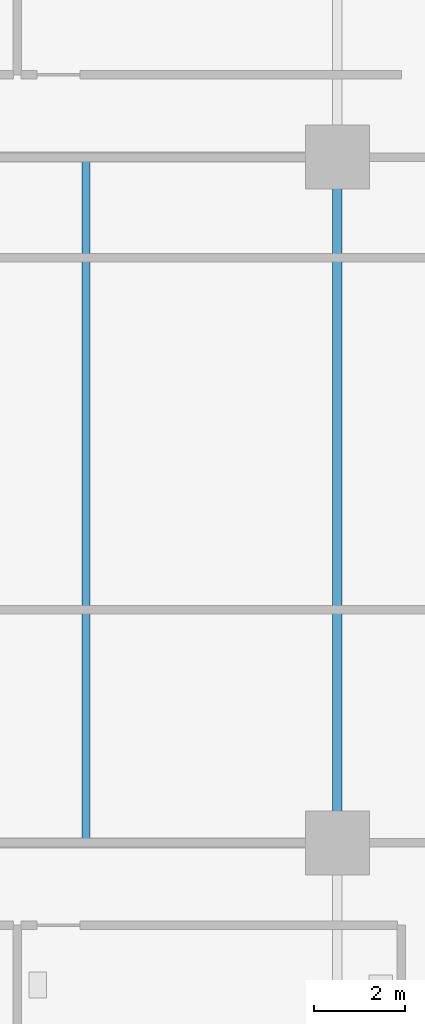
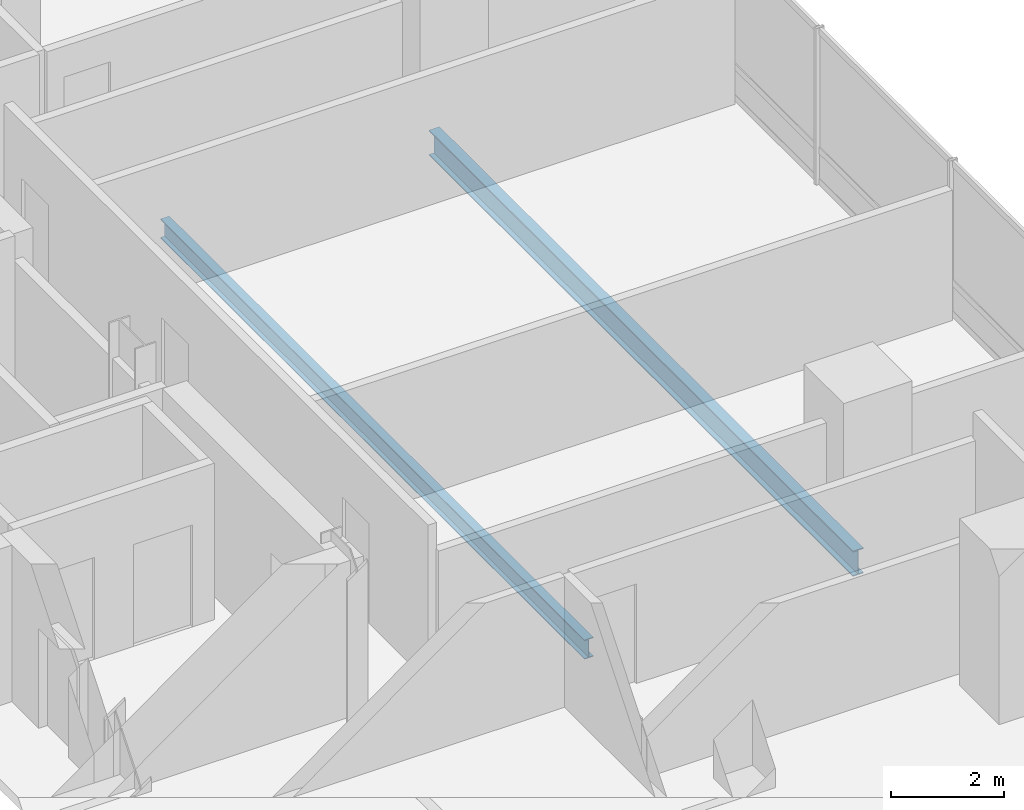
# One storey, part 9 of 21: 2 beams.
"""IFC4 building model written with IfcOpenShell, lengths in metres."""

import ifcopenshell
import ifcopenshell.guid

model = None  # the IFC model being written
_history = None  # IfcOwnerHistory: only IFC2X3 demands one
_inside = {}  # id of a spatial element -> (the spatial element, [elements in it])
_under = {}  # id of a project, library or spatial element -> (it, [spatial elements below it])
_declared = {}  # id of a project -> (the project, [libraries it declares])
_typed = {}  # id of a type object -> (the type object, [elements of that type])
_made_of = {}  # id of a material, layer set ... -> (it, [elements and type objects made of it])


def new_model(schema):
    """Start an empty IFC model of exactly this schema.

    Asked for "IFC4X3", IfcOpenShell would pick the latest addendum, in which some entities
    have other attributes; the version numbers below select the first issue.
    IFC2X3 requires an IfcOwnerHistory on every rooted entity: one is made here for all.
    """
    global model, _history
    if schema == "IFC4X3":
        model = ifcopenshell.file(schema_version=(4, 3, 0, 0))
    else:
        model = ifcopenshell.file(schema=schema)
    _inside.clear()
    _under.clear()
    _declared.clear()
    _typed.clear()
    _made_of.clear()
    _history = None
    if model.schema == "IFC2X3":
        org = make("IfcOrganization", Name="unknown")
        user = make(
            "IfcPersonAndOrganization",
            ThePerson=make("IfcPerson", FamilyName="unknown"),
            TheOrganization=org,
        )
        app = make(
            "IfcApplication",
            ApplicationDeveloper=org,
            Version="unknown",
            ApplicationFullName="unknown",
            ApplicationIdentifier="unknown",
        )
        _history = make(
            "IfcOwnerHistory",
            OwningUser=user,
            OwningApplication=app,
            ChangeAction="ADDED",
            CreationDate=0,
        )
    return model


def make(cls, **values):
    """One entity of the class cls with the attributes given. An attribute that is None is left unset."""
    return model.create_entity(
        cls, **{name: value for name, value in values.items() if value is not None}
    )


def rooted(cls, **values):
    """An entity with a GlobalId (a new one), such as an element, a storey or a relation."""
    return make(cls, GlobalId=ifcopenshell.guid.new(), OwnerHistory=_history, **values)


def si_unit(unit_type, name, prefix=None):
    """IfcSIUnit, for example si_unit("LENGTHUNIT", "METRE", prefix="MILLI")."""
    return make("IfcSIUnit", UnitType=unit_type, Prefix=prefix, Name=name)


def assignment(units):
    """IfcUnitAssignment: the units of a project."""
    return None if units is None else make("IfcUnitAssignment", Units=units)


def point(xyz):
    """IfcCartesianPoint."""
    return None if xyz is None else make("IfcCartesianPoint", Coordinates=xyz)


def direction(xyz):
    """IfcDirection."""
    return None if xyz is None else make("IfcDirection", DirectionRatios=xyz)


def frame(location, z_axis=None, x_axis=None):
    """IfcAxis2Placement3D, a coordinate frame: its origin and axes. An axis left out is left unset."""
    return make(
        "IfcAxis2Placement3D",
        Location=point(location),
        Axis=direction(z_axis),
        RefDirection=direction(x_axis),
    )


def frame_2d(location, x_axis=None):
    """IfcAxis2Placement2D, a coordinate frame in the plane: its origin and x axis."""
    return make(
        "IfcAxis2Placement2D", Location=point(location), RefDirection=direction(x_axis)
    )


def origin():
    """The frame at (0, 0, 0) with its axes left unset."""
    return frame((0.0, 0.0, 0.0))


def origin_2d():
    """The frame at (0, 0) in the plane with its x axis left unset."""
    return frame_2d((0.0, 0.0))


def place(relative_to, where):
    """IfcLocalPlacement: puts the frame where relative to a parent placement (None: the world)."""
    return make(
        "IfcLocalPlacement", PlacementRelTo=relative_to, RelativePlacement=where
    )


def context(
    kind, dimensions, precision=None, world=None, true_north=None, identifier=None
):
    """IfcGeometricRepresentationContext, for example the 3D "Model" context."""
    return make(
        "IfcGeometricRepresentationContext",
        ContextIdentifier=identifier,
        ContextType=kind,
        CoordinateSpaceDimension=dimensions,
        Precision=precision,
        WorldCoordinateSystem=world,
        TrueNorth=true_north,
    )


def subcontext(parent, identifier, kind, view, scale=None):
    """IfcGeometricRepresentationSubContext, for example "Body" below "Model"."""
    return make(
        "IfcGeometricRepresentationSubContext",
        ContextIdentifier=identifier,
        ContextType=kind,
        ParentContext=parent,
        TargetScale=scale,
        TargetView=view,
    )


def project(units=None, contexts=None):
    """IfcProject with its units and contexts."""
    return rooted(
        "IfcProject",
        Name="project",
        RepresentationContexts=contexts,
        UnitsInContext=assignment(units),
    )


def spatial(cls, under=None, at=None, **own):
    """A site, building, storey or space (cls), placed at a placement, below another one or the project."""
    s = rooted(cls, ObjectPlacement=at, **own)
    if under is not None:
        _under.setdefault(under.id(), (under, []))[1].append(s)
    return s


def profile(cls, at=None, kind="AREA", **sizes):
    """A parametric profile (cls). Its sizes go by their IFC names, for example OverallWidth=200.0."""
    return make(cls, ProfileType=kind, Position=at, **sizes)


def i_section(**sizes):
    """IfcIShapeProfileDef."""
    return profile("IfcIShapeProfileDef", **sizes)


def extrude(swept, where, along, depth):
    """IfcExtrudedAreaSolid: the profile swept, set in the frame where, extruded along a direction by depth."""
    return make(
        "IfcExtrudedAreaSolid",
        SweptArea=swept,
        Position=where,
        ExtrudedDirection=direction(along),
        Depth=depth,
    )


def shape(context_of_items, identifier, shape_type, items):
    """IfcShapeRepresentation: the items that make up one representation, for example the "Body"."""
    return make(
        "IfcShapeRepresentation",
        ContextOfItems=context_of_items,
        RepresentationIdentifier=identifier,
        RepresentationType=shape_type,
        Items=items,
    )


def material(Name=None, Category=None):
    """IfcMaterial."""
    return make("IfcMaterial", Name=Name, Category=Category)


def material_profile(
    of_material, cross_section, Name=None, Category=None, Priority=None
):
    """IfcMaterialProfile: a cross section and its material."""
    return make(
        "IfcMaterialProfile",
        Name=Name,
        Material=of_material,
        Profile=cross_section,
        Priority=Priority,
        Category=Category,
    )


def profile_set(profiles, Name=None, composite=None):
    """IfcMaterialProfileSet."""
    return make(
        "IfcMaterialProfileSet",
        Name=Name,
        MaterialProfiles=profiles,
        CompositeProfile=composite,
    )


def made_of(thing, what):
    """Note that an element or type object is made of a material, layer set ...; save() writes the relation."""
    if what is not None:
        _made_of.setdefault(what.id(), (what, []))[1].append(thing)
    return thing


def type_object(cls, material=None, **own):
    """A type object (cls), such as IfcWallType, which elements share."""
    return made_of(rooted(cls, **own), material)


def element(
    cls,
    number,
    at=None,
    inside=None,
    cuts=None,
    type_object=None,
    material=None,
    context=None,
    identifier="Body",
    shape_type=None,
    held_by="IfcProductDefinitionShape",
    body=None,
    shapes=None,
    **own,
):
    """One element of the class cls, such as IfcWall. Its Tag is "e" and its number.

    at: its placement. inside: the storey or other place that contains it. cuts: it is an
    opening in that element (IfcRelVoidsElement). A single representation is given by context,
    identifier, shape_type and body (its items); several are given by shapes. held_by: the class
    of the entity that holds the representations. save() writes the other relations.
    """
    e = rooted(cls, Tag="e%d" % number, ObjectPlacement=at, **own)
    if body is not None:
        shapes = [shape(context, identifier, shape_type, body)]
    if shapes is not None:
        e.Representation = make(held_by, Representations=shapes)
    if inside is not None:
        _inside.setdefault(inside.id(), (inside, []))[1].append(e)
    if cuts is not None:
        rooted(
            "IfcRelVoidsElement", RelatingBuildingElement=cuts, RelatedOpeningElement=e
        )
    if type_object is not None:
        _typed.setdefault(type_object.id(), (type_object, []))[1].append(e)
    return made_of(e, material)


def aggregate(whole, parts):
    """IfcRelAggregates: a whole, such as a stair, and the parts it consists of."""
    return rooted("IfcRelAggregates", RelatingObject=whole, RelatedObjects=parts)


def save(model, path):
    """Write the relations noted so far, then the file.

    IfcRelAggregates (storeys below a building ...), IfcRelContainedInSpatialStructure (elements
    in a storey), IfcRelDefinesByType, IfcRelAssociatesMaterial and IfcRelDeclares: one each for
    every whole, place, type object, material and project.
    """
    for whole, parts in _under.values():
        aggregate(whole, parts)
    for where, things in _inside.values():
        rooted(
            "IfcRelContainedInSpatialStructure",
            RelatedElements=things,
            RelatingStructure=where,
        )
    for kind, things in _typed.values():
        rooted("IfcRelDefinesByType", RelatedObjects=things, RelatingType=kind)
    for what, things in _made_of.values():
        rooted("IfcRelAssociatesMaterial", RelatedObjects=things, RelatingMaterial=what)
    for by, libraries in _declared.values():
        rooted("IfcRelDeclares", RelatingContext=by, RelatedDefinitions=libraries)
    model.write(path)


model = new_model("IFC4")

# Units and contexts
model_context = context("Model", 3, precision=1e-05, world=origin(), true_north=direction((0.0, 1.0)))
body_context = subcontext(model_context, "Body", "Model", "MODEL_VIEW")
ifc_project = project(units=[si_unit("LENGTHUNIT", "METRE"), si_unit("AREAUNIT", "SQUARE_METRE"), si_unit("VOLUMEUNIT", "CUBIC_METRE"), si_unit("PLANEANGLEUNIT", "RADIAN"), si_unit("MASSUNIT", "GRAM", prefix="KILO")], contexts=[model_context])

# Site, building, storey
site_placement = place(None, origin())
site = spatial("IfcSite", under=ifc_project, at=site_placement, CompositionType="ELEMENT")
building_placement = place(site_placement, origin())
building = spatial("IfcBuilding", under=site, at=building_placement, Name="Barlavira Tower and Art Museum", CompositionType="ELEMENT")
storey_placement = place(building_placement, frame((0.0, 0.0, 86.39990234375)))
storey = spatial("IfcBuildingStorey", under=building, at=storey_placement, Name="L21", CompositionType="ELEMENT", Elevation=86.39990234375)

# Beams
ifc_material = material(Name="Steel S355", Category="steel")
ifc_material_profile_1 = material_profile(ifc_material, i_section(OverallWidth=0.180908203125, OverallDepth=0.4169921875, WebThickness=0.010986328125, FlangeThickness=0.018310546875, at=origin_2d()), Name="W410x85.0")
ifc_profile_set_1 = profile_set([ifc_material_profile_1], Name="Steel S355")
beam_type_1 = type_object("IfcBeamType", Name="Zone 1 Composite Floor Joist W410x85 Steel S355", PredefinedType="JOIST", material=ifc_profile_set_1)
beam_1_placement = place(storey_placement, frame((11.5, -7.5, -0.428466796875), z_axis=(0.0, 1.0, 0.0), x_axis=(-1.0, 0.0, 0.0)))
element("IfcBeam", 1, at=beam_1_placement, inside=storey, type_object=beam_type_1, Name="L21 Joist W2", PredefinedType="JOIST", context=body_context, shape_type="SweptSolid", body=[
    extrude(i_section(OverallWidth=0.180908203125, OverallDepth=0.4169921875, WebThickness=0.010986328125, FlangeThickness=0.018310546875, at=origin_2d()), origin(), (0.0, 0.0, 1.0), 15.0),
])
ifc_material_profile_2 = material_profile(ifc_material, i_section(OverallWidth=0.214111328125, OverallDepth=0.549072265625, WebThickness=0.0146484375, FlangeThickness=0.023681640625, at=origin_2d()), Name="W530x138.0")
ifc_profile_set_2 = profile_set([ifc_material_profile_2], Name="Steel S355")
beam_type_2 = type_object("IfcBeamType", Name="Zone 1 Primary Floor Girder W530x138 Steel S355", PredefinedType="BEAM", material=ifc_profile_set_2)
beam_2_placement = place(storey_placement, frame((17.0, -7.5, -0.494384765625), z_axis=(0.0, 1.0, 0.0), x_axis=(-1.0, 0.0, 0.0)))
element("IfcBeam", 2, at=beam_2_placement, inside=storey, type_object=beam_type_2, Name="L21 Girder M-E2", PredefinedType="BEAM", context=body_context, shape_type="SweptSolid", body=[
    extrude(i_section(OverallWidth=0.214111328125, OverallDepth=0.549072265625, WebThickness=0.0146484375, FlangeThickness=0.023681640625, at=origin_2d()), origin(), (0.0, 0.0, 1.0), 15.0),
])

save(model, "model.ifc")
